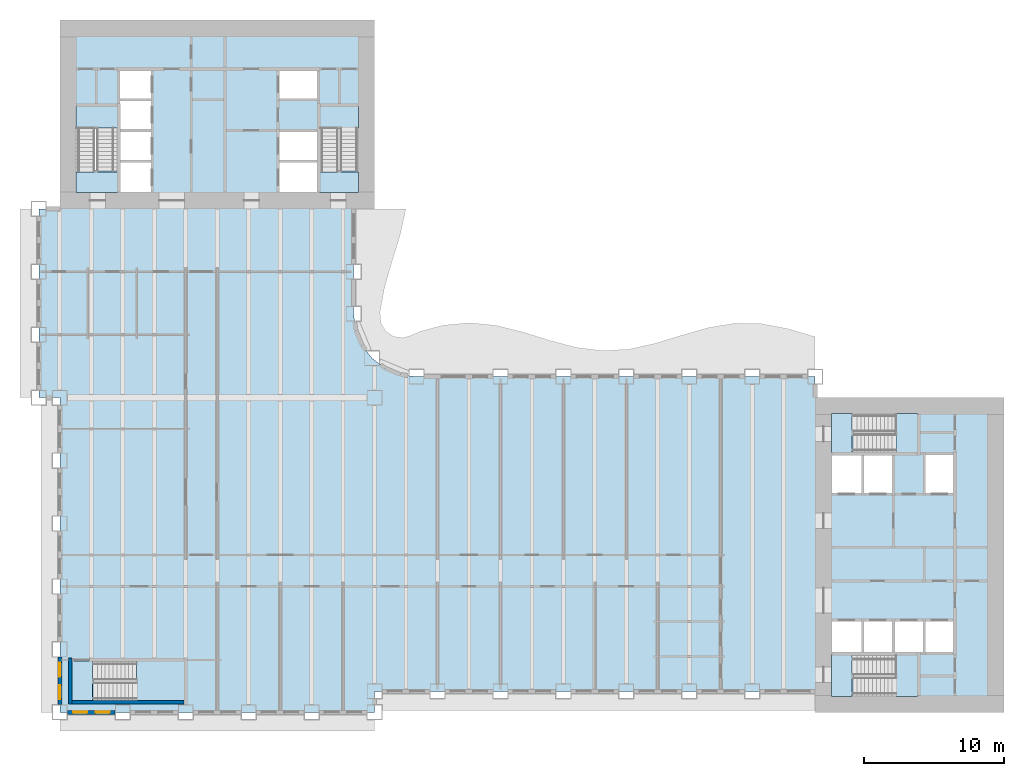
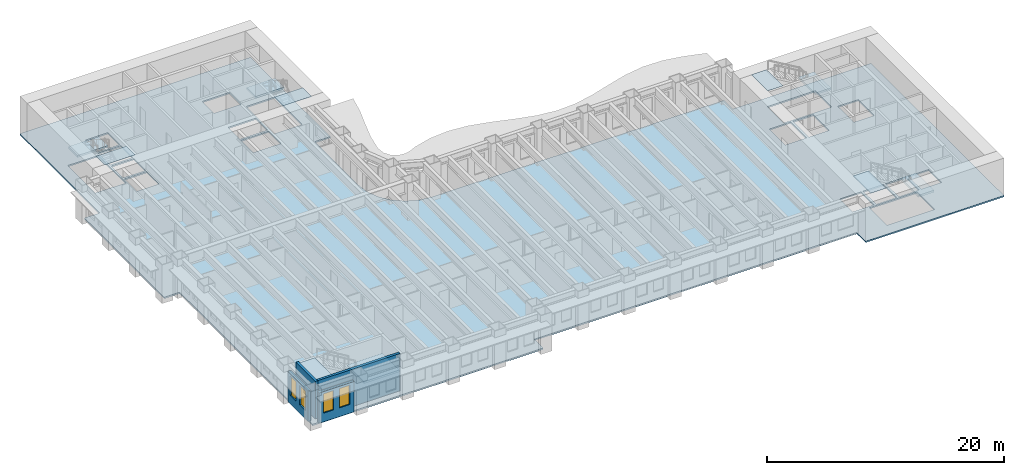
# One storey, part 2 of 16: 11 slabs, 4 walls, 4 windows, 4 openings, 5 elements without a shape of their own.
"""IFC4 building model written with IfcOpenShell, lengths in metres."""

from ifc_helpers import new_model, si_unit, direction, frame, frame_2d, origin, place, context, subcontext, project, spatial, polyline, rectangle, outline, extrude, material, layer, layer_set, type_object, element, fill, aggregate, save


model = new_model("IFC4")

# Units and contexts
model_context = context("Model", 3, precision=1e-05, world=origin(), true_north=direction((0.0, 1.0)))
body_context = subcontext(model_context, "Body", "Model", "MODEL_VIEW")
ifc_project = project(units=[si_unit("LENGTHUNIT", "METRE"), si_unit("AREAUNIT", "SQUARE_METRE"), si_unit("VOLUMEUNIT", "CUBIC_METRE"), si_unit("PLANEANGLEUNIT", "RADIAN"), si_unit("MASSUNIT", "GRAM", prefix="KILO")], contexts=[model_context])

# Site, building, storey
site_placement = place(None, origin())
site = spatial("IfcSite", under=ifc_project, at=site_placement, CompositionType="ELEMENT")
building_placement = place(site_placement, origin())
building = spatial("IfcBuilding", under=site, at=building_placement, Name="Sennacour Bend Tower", CompositionType="ELEMENT")
storey_placement = place(building_placement, frame((0.0, 0.0, 69.0)))
storey = spatial("IfcBuildingStorey", under=building, at=storey_placement, Name="L15", CompositionType="ELEMENT", Elevation=69.0)

# Slabs
ifc_material_1 = material(Name="Concrete C30/37", Category="concrete")
ifc_layer_1 = layer(ifc_material_1, 0.14990234375, Name="Concrete C30/37", Category="concrete")
ifc_layer_set_1 = layer_set([ifc_layer_1], Name="Concrete C30/37")
slab_type_1 = type_object("IfcSlabType", Name="Floor slab 150", PredefinedType="FLOOR", material=ifc_layer_set_1)
slab_1_placement = place(storey_placement, frame((0.0, 0.0, -0.14990234375)))
element("IfcSlab", 1, at=slab_1_placement, inside=storey, type_object=slab_type_1, Name="Floor slab L15-01", PredefinedType="FLOOR", context=body_context, shape_type="SweptSolid", body=[
    extrude(outline(polyline([(0.0, 22.5), (-1.5, 22.5), (-1.5, 36.0), (0.0, 36.0), (0.0, 49.5), (22.5, 49.5), (22.5, 36.0), (21.0, 36.0), (21.0, 28.5), (21.1533203125, 27.335205078125), (21.602783203125, 26.25), (22.318115234375, 25.318115234375), (23.25, 24.602783203125), (24.335205078125, 24.1533203125), (25.5, 24.0), (54.0, 24.0), (54.0, 22.5), (67.5, 22.5), (67.5, 0.0), (54.0, 0.0), (54.0, 1.5), (22.5, 1.5), (22.5, 0.0), (0.0, 0.0), (0.0, 22.5)]), holes=[polyline([(8.800048828125, 0.949951171875), (8.800048828125, 3.5), (2.429931640625, 3.5), (2.429931640625, 0.949951171875), (8.800048828125, 0.949951171875)]), polyline([(6.5, 37.199951171875), (6.5, 39.300048828125), (4.300048828125, 39.300048828125), (4.300048828125, 37.199951171875), (6.5, 37.199951171875)]), polyline([(18.39990234375, 37.199951171875), (18.39990234375, 39.300048828125), (15.699951171875, 39.300048828125), (15.699951171875, 37.199951171875), (18.39990234375, 37.199951171875)]), polyline([(6.5, 39.5), (6.5, 41.5), (4.300048828125, 41.5), (4.300048828125, 39.5), (6.5, 39.5)]), polyline([(18.39990234375, 39.5), (18.39990234375, 41.5), (15.699951171875, 41.5), (15.699951171875, 39.5), (18.39990234375, 39.5)]), polyline([(4.125, 38.72998046875), (4.125, 43.39990234375), (1.14990234375, 43.39990234375), (1.14990234375, 38.72998046875), (4.125, 38.72998046875)]), polyline([(21.35009765625, 38.72998046875), (21.35009765625, 43.39990234375), (18.574951171875, 43.39990234375), (18.574951171875, 38.72998046875), (21.35009765625, 38.72998046875)]), polyline([(4.300048828125, 41.699951171875), (6.5, 41.699951171875), (6.5, 43.699951171875), (4.300048828125, 43.699951171875), (4.300048828125, 41.699951171875)]), polyline([(4.300048828125, 43.89990234375), (6.5, 43.89990234375), (6.5, 45.89990234375), (4.300048828125, 45.89990234375), (4.300048828125, 43.89990234375)]), polyline([(18.39990234375, 43.89990234375), (18.39990234375, 45.89990234375), (15.699951171875, 45.89990234375), (15.699951171875, 43.89990234375), (18.39990234375, 43.89990234375)]), polyline([(61.39990234375, 1.14990234375), (61.39990234375, 4.125), (56.72998046875, 4.125), (56.72998046875, 1.14990234375), (61.39990234375, 1.14990234375)]), polyline([(57.300048828125, 4.300048828125), (57.300048828125, 6.5), (55.199951171875, 6.5), (55.199951171875, 4.300048828125), (57.300048828125, 4.300048828125)]), polyline([(57.5, 4.300048828125), (59.5, 4.300048828125), (59.5, 6.5), (57.5, 6.5), (57.5, 4.300048828125)]), polyline([(59.699951171875, 4.300048828125), (61.699951171875, 4.300048828125), (61.699951171875, 6.5), (59.699951171875, 6.5), (59.699951171875, 4.300048828125)]), polyline([(63.89990234375, 4.300048828125), (63.89990234375, 6.5), (61.89990234375, 6.5), (61.89990234375, 4.300048828125), (63.89990234375, 4.300048828125)]), polyline([(57.300048828125, 15.699951171875), (57.300048828125, 18.39990234375), (55.199951171875, 18.39990234375), (55.199951171875, 15.699951171875), (57.300048828125, 15.699951171875)]), polyline([(59.5, 15.699951171875), (59.5, 18.39990234375), (57.5, 18.39990234375), (57.5, 15.699951171875), (59.5, 15.699951171875)]), polyline([(61.89990234375, 15.699951171875), (63.89990234375, 15.699951171875), (63.89990234375, 18.39990234375), (61.89990234375, 18.39990234375), (61.89990234375, 15.699951171875)]), polyline([(56.72998046875, 18.574951171875), (61.39990234375, 18.574951171875), (61.39990234375, 21.35009765625), (56.72998046875, 21.35009765625), (56.72998046875, 18.574951171875)])]), origin(), (0.0, 0.0, 1.0), 0.14990234375),
])
ifc_material_2 = material(Name="Concrete C40/50", Category="concrete")
ifc_layer_2 = layer(ifc_material_2, 0.034912109375, Name="Concrete C40/50", Category="concrete")
ifc_layer_set_2 = layer_set([ifc_layer_2], Name="Concrete C40/50")
slab_type_2 = type_object("IfcSlabType", Name="Stair arrival nib 35", PredefinedType="FLOOR", material=ifc_layer_set_2)
slab_2_placement = place(storey_placement, frame((0.0, 0.0, 3.815185546875)))
element("IfcSlab", 2, at=slab_2_placement, inside=storey, type_object=slab_type_2, Name="L15 SA1 stair arrival nib", PredefinedType="FLOOR", context=body_context, shape_type="SweptSolid", body=[
    extrude(outline(polyline([(56.64208984375, 4.125), (55.14990234375, 4.125), (55.14990234375, 1.14990234375), (56.64208984375, 1.14990234375), (56.64208984375, 4.125)])), origin(), (0.0, 0.0, 1.0), 0.034912109375),
])
slab_3_placement = place(storey_placement, frame((0.0, 0.0, 3.815185546875)))
element("IfcSlab", 3, at=slab_3_placement, inside=storey, type_object=slab_type_2, Name="L15 SA2 stair arrival nib", PredefinedType="FLOOR", context=body_context, shape_type="SweptSolid", body=[
    extrude(outline(polyline([(56.64208984375, 21.35009765625), (55.14990234375, 21.35009765625), (55.14990234375, 18.574951171875), (56.64208984375, 18.574951171875), (56.64208984375, 21.35009765625)])), origin(), (0.0, 0.0, 1.0), 0.034912109375),
])
slab_4_placement = place(storey_placement, frame((0.0, 0.0, 3.815185546875)))
element("IfcSlab", 4, at=slab_4_placement, inside=storey, type_object=slab_type_2, Name="L15 SB1 stair arrival nib", PredefinedType="FLOOR", context=body_context, shape_type="SweptSolid", body=[
    extrude(outline(polyline([(1.14990234375, 38.64208984375), (1.14990234375, 37.14990234375), (4.125, 37.14990234375), (4.125, 38.64208984375), (1.14990234375, 38.64208984375)])), origin(), (0.0, 0.0, 1.0), 0.034912109375),
])
slab_5_placement = place(storey_placement, frame((0.0, 0.0, 3.815185546875)))
element("IfcSlab", 5, at=slab_5_placement, inside=storey, type_object=slab_type_2, Name="L15 SB2 stair arrival nib", PredefinedType="FLOOR", context=body_context, shape_type="SweptSolid", body=[
    extrude(outline(polyline([(18.574951171875, 38.64208984375), (18.574951171875, 37.14990234375), (21.35009765625, 37.14990234375), (21.35009765625, 38.64208984375), (18.574951171875, 38.64208984375)])), origin(), (0.0, 0.0, 1.0), 0.034912109375),
])
slab_6_placement = place(storey_placement, frame((0.0, 0.0, 3.815185546875)))
element("IfcSlab", 6, at=slab_6_placement, inside=storey, type_object=slab_type_2, Name="L15 SK1 stair arrival nib", PredefinedType="FLOOR", context=body_context, shape_type="SweptSolid", body=[
    extrude(outline(polyline([(2.342041015625, 3.675048828125), (0.800048828125, 3.675048828125), (0.800048828125, 0.800048828125), (2.342041015625, 0.800048828125), (2.342041015625, 3.675048828125)])), origin(), (0.0, 0.0, 1.0), 0.034912109375),
])

# Stair, slab
stair_type = type_object("IfcStairType", Name="ST-DOGLEG", PredefinedType="HALF_TURN_STAIR", material=ifc_material_2)
stair_1_placement = place(storey_placement, origin())
stair_1 = element("IfcStair", 7, at=stair_1_placement, inside=storey, type_object=stair_type, Name="L15 Exit stair A1", PredefinedType="HALF_TURN_STAIR")
ifc_layer_3 = layer(ifc_material_2, 0.199951171875, Name="Concrete C40/50", Category="concrete")
ifc_layer_set_3 = layer_set([ifc_layer_3], Name="Concrete C40/50")
slab_type_3 = type_object("IfcSlabType", Name="Stair landing 200", PredefinedType="LANDING", material=ifc_layer_set_3)
slab_7_placement = place(storey_placement, frame((0.0, 0.0, 1.800048828125)))
slab_7 = element("IfcSlab", 8, at=slab_7_placement, type_object=slab_type_3, Name="SA1 landing 1", PredefinedType="LANDING", context=body_context, shape_type="SweptSolid", body=[
    extrude(outline(polyline([(59.780029296875, 1.14990234375), (61.324951171875, 1.14990234375), (61.324951171875, 4.125), (59.780029296875, 4.125), (59.780029296875, 1.14990234375)])), origin(), (0.0, 0.0, 1.0), 0.199951171875),
])
aggregate(stair_1, [slab_7])

stair_2_placement = place(storey_placement, origin())
stair_2 = element("IfcStair", 9, at=stair_2_placement, inside=storey, type_object=stair_type, Name="L15 Exit stair A2", PredefinedType="HALF_TURN_STAIR")
slab_8_placement = place(storey_placement, frame((0.0, 0.0, 1.800048828125)))
slab_8 = element("IfcSlab", 10, at=slab_8_placement, type_object=slab_type_3, Name="SA2 landing 1", PredefinedType="LANDING", context=body_context, shape_type="SweptSolid", body=[
    extrude(outline(polyline([(59.780029296875, 18.574951171875), (61.324951171875, 18.574951171875), (61.324951171875, 21.35009765625), (59.780029296875, 21.35009765625), (59.780029296875, 18.574951171875)])), origin(), (0.0, 0.0, 1.0), 0.199951171875),
])
aggregate(stair_2, [slab_8])

stair_3_placement = place(storey_placement, origin())
stair_3 = element("IfcStair", 11, at=stair_3_placement, inside=storey, type_object=stair_type, Name="L15 Exit stair B1", PredefinedType="HALF_TURN_STAIR")
slab_9_placement = place(storey_placement, frame((0.0, 0.0, 1.800048828125)))
slab_9 = element("IfcSlab", 12, at=slab_9_placement, type_object=slab_type_3, Name="SB1 landing 1", PredefinedType="LANDING", context=body_context, shape_type="SweptSolid", body=[
    extrude(outline(polyline([(1.14990234375, 41.780029296875), (4.125, 41.780029296875), (4.125, 43.324951171875), (1.14990234375, 43.324951171875), (1.14990234375, 41.780029296875)])), origin(), (0.0, 0.0, 1.0), 0.199951171875),
])
aggregate(stair_3, [slab_9])

stair_4_placement = place(storey_placement, origin())
stair_4 = element("IfcStair", 13, at=stair_4_placement, inside=storey, type_object=stair_type, Name="L15 Exit stair B2", PredefinedType="HALF_TURN_STAIR")
slab_10_placement = place(storey_placement, frame((0.0, 0.0, 1.800048828125)))
slab_10 = element("IfcSlab", 14, at=slab_10_placement, type_object=slab_type_3, Name="SB2 landing 1", PredefinedType="LANDING", context=body_context, shape_type="SweptSolid", body=[
    extrude(outline(polyline([(18.574951171875, 41.780029296875), (21.35009765625, 41.780029296875), (21.35009765625, 43.324951171875), (18.574951171875, 43.324951171875), (18.574951171875, 41.780029296875)])), origin(), (0.0, 0.0, 1.0), 0.199951171875),
])
aggregate(stair_4, [slab_10])

stair_5_placement = place(storey_placement, origin())
stair_5 = element("IfcStair", 15, at=stair_5_placement, inside=storey, type_object=stair_type, Name="L15 Exit stair K1", PredefinedType="HALF_TURN_STAIR")
slab_11_placement = place(storey_placement, frame((0.0, 0.0, 1.800048828125)))
slab_11 = element("IfcSlab", 16, at=slab_11_placement, type_object=slab_type_3, Name="SK1 landing 1", PredefinedType="LANDING", context=body_context, shape_type="SweptSolid", body=[
    extrude(outline(polyline([(5.47998046875, 0.800048828125), (8.925048828125, 0.800048828125), (8.925048828125, 3.675048828125), (5.47998046875, 3.675048828125), (5.47998046875, 0.800048828125)])), origin(), (0.0, 0.0, 1.0), 0.199951171875),
])
aggregate(stair_5, [slab_11])

# Wall, openings, windows
ifc_material_3 = material(Name="Warm limestone cladding", Category="masonry")
ifc_layer_4 = layer(ifc_material_3, 0.050048828125, Name="Warm limestone cladding", Category="masonry")
ifc_material_4 = material(Name="Precast concrete C40/50", Category="concrete")
ifc_layer_5 = layer(ifc_material_4, 0.25, Name="Precast concrete C40/50", Category="concrete")
ifc_layer_set_4 = layer_set([ifc_layer_4, ifc_layer_5], Name="Precast concrete C40/50 with limestone cladding")
wall_type_1 = type_object("IfcWallType", Name="STONE-CLAD PRECAST SPANDREL 300", PredefinedType="STANDARD", material=ifc_layer_set_4)
wall_1_placement = place(storey_placement, frame((0.550048828125, 0.0, 0.0), z_axis=(0.0, 0.0, 1.0), x_axis=(1.0, 0.0, 0.0)))
wall_1 = element("IfcWall", 17, at=wall_1_placement, inside=storey, type_object=wall_type_1, Name="Stone spandrel and pier wall L15 00.00", PredefinedType="STANDARD", context=body_context, shape_type="SweptSolid", body=[
    extrude(rectangle(XDim=3.39990234375, YDim=0.300048828125, at=frame_2d((1.699951171875, 0.0))), origin(), (0.0, 0.0, 1.0), 3.14404296875),
])
opening_1_placement = place(wall_1_placement, frame((0.39990234375, 0.0, 0.89990234375)))
opening_1 = element("IfcOpeningElement", 18, at=opening_1_placement, cuts=wall_1, Name="Opening W8", PredefinedType="OPENING", context=body_context, shape_type="SweptSolid", body=[
    extrude(rectangle(XDim=1.0, YDim=2.0, at=frame_2d((0.5, 1.0))), frame((0.0, 0.16015625, 0.0), z_axis=(0.0, -1.0, 0.0), x_axis=(1.0, 0.0, 0.0)), (0.0, 0.0, 1.0), 0.320068359375),
])
opening_2_placement = place(wall_1_placement, frame((2.0, 0.0, 0.89990234375)))
opening_2 = element("IfcOpeningElement", 19, at=opening_2_placement, cuts=wall_1, Name="Opening W8", PredefinedType="OPENING", context=body_context, shape_type="SweptSolid", body=[
    extrude(rectangle(XDim=1.0, YDim=2.0, at=frame_2d((0.5, 1.0))), frame((0.0, 0.16015625, 0.0), z_axis=(0.0, -1.0, 0.0), x_axis=(1.0, 0.0, 0.0)), (0.0, 0.0, 1.0), 0.320068359375),
])
ifc_material_5 = material(Name="Clear low-emissivity glass", Category="glass")
window_type = type_object("IfcWindowType", Name="WIN-RIBBON-1000x2000", PartitioningType="SINGLE_PANEL", PredefinedType="WINDOW", material=ifc_material_5)
window_1_placement = place(opening_1_placement, origin())
window_1 = element("IfcWindow", 20, at=window_1_placement, inside=storey, type_object=window_type, Name="Ribbon window L15 00.00.0", OverallHeight=2.0, OverallWidth=1.0, PartitioningType="SINGLE_PANEL", PredefinedType="WINDOW", context=body_context, shape_type="SweptSolid", body=[
    extrude(rectangle(XDim=1.0, YDim=2.0, at=frame_2d((0.5, 1.0))), frame((0.0, 0.030029296875, 0.0), z_axis=(0.0, -1.0, 0.0), x_axis=(1.0, 0.0, 0.0)), (0.0, 0.0, 1.0), 0.06005859375),
])
fill(opening_1, window_1)
window_2_placement = place(opening_2_placement, origin())
window_2 = element("IfcWindow", 21, at=window_2_placement, inside=storey, type_object=window_type, Name="Ribbon window L15 00.00.1", OverallHeight=2.0, OverallWidth=1.0, PartitioningType="SINGLE_PANEL", PredefinedType="WINDOW", context=body_context, shape_type="SweptSolid", body=[
    extrude(rectangle(XDim=1.0, YDim=2.0, at=frame_2d((0.5, 1.0))), frame((0.0, 0.030029296875, 0.0), z_axis=(0.0, -1.0, 0.0), x_axis=(1.0, 0.0, 0.0)), (0.0, 0.0, 1.0), 0.06005859375),
])
fill(opening_2, window_2)

wall_2_placement = place(storey_placement, frame((0.0, 3.949951171875, 0.0), z_axis=(0.0, 0.0, 1.0), x_axis=(0.0, -1.0, 0.0)))
wall_2 = element("IfcWall", 22, at=wall_2_placement, inside=storey, type_object=wall_type_1, Name="Stone spandrel and pier wall L15 23.04", PredefinedType="STANDARD", context=body_context, shape_type="SweptSolid", body=[
    extrude(rectangle(XDim=3.39990234375, YDim=0.300048828125, at=frame_2d((1.699951171875, 0.0))), origin(), (0.0, 0.0, 1.0), 3.14404296875),
])
opening_3_placement = place(wall_2_placement, frame((0.39990234375, 0.0, 0.89990234375)))
opening_3 = element("IfcOpeningElement", 23, at=opening_3_placement, cuts=wall_2, Name="Opening W8", PredefinedType="OPENING", context=body_context, shape_type="SweptSolid", body=[
    extrude(rectangle(XDim=1.0, YDim=2.0, at=frame_2d((0.5, 1.0))), frame((0.0, 0.16015625, 0.0), z_axis=(0.0, -1.0, 0.0), x_axis=(1.0, 0.0, 0.0)), (0.0, 0.0, 1.0), 0.320068359375),
])
opening_4_placement = place(wall_2_placement, frame((2.0, 0.0, 0.89990234375)))
opening_4 = element("IfcOpeningElement", 24, at=opening_4_placement, cuts=wall_2, Name="Opening W8", PredefinedType="OPENING", context=body_context, shape_type="SweptSolid", body=[
    extrude(rectangle(XDim=1.0, YDim=2.0, at=frame_2d((0.5, 1.0))), frame((0.0, 0.16015625, 0.0), z_axis=(0.0, -1.0, 0.0), x_axis=(1.0, 0.0, 0.0)), (0.0, 0.0, 1.0), 0.320068359375),
])
window_3_placement = place(opening_3_placement, origin())
window_3 = element("IfcWindow", 25, at=window_3_placement, inside=storey, type_object=window_type, Name="Ribbon window L15 23.04.0", OverallHeight=2.0, OverallWidth=1.0, PartitioningType="SINGLE_PANEL", PredefinedType="WINDOW", context=body_context, shape_type="SweptSolid", body=[
    extrude(rectangle(XDim=1.0, YDim=2.0, at=frame_2d((0.5, 1.0))), frame((0.0, 0.030029296875, 0.0), z_axis=(0.0, -1.0, 0.0), x_axis=(1.0, 0.0, 0.0)), (0.0, 0.0, 1.0), 0.06005859375),
])
fill(opening_3, window_3)
window_4_placement = place(opening_4_placement, origin())
window_4 = element("IfcWindow", 26, at=window_4_placement, inside=storey, type_object=window_type, Name="Ribbon window L15 23.04.1", OverallHeight=2.0, OverallWidth=1.0, PartitioningType="SINGLE_PANEL", PredefinedType="WINDOW", context=body_context, shape_type="SweptSolid", body=[
    extrude(rectangle(XDim=1.0, YDim=2.0, at=frame_2d((0.5, 1.0))), frame((0.0, 0.030029296875, 0.0), z_axis=(0.0, -1.0, 0.0), x_axis=(1.0, 0.0, 0.0)), (0.0, 0.0, 1.0), 0.06005859375),
])
fill(opening_4, window_4)

# Walls
ifc_material_6 = material(Name="Concrete C60/75", Category="concrete")
ifc_layer_6 = layer(ifc_material_6, 0.25, Name="Concrete C60/75", Category="concrete")
ifc_layer_set_5 = layer_set([ifc_layer_6], Name="Concrete C60/75")
wall_type_2 = type_object("IfcWallType", Name="Stair wall 250", PredefinedType="SHEAR", material=ifc_layer_set_5)
wall_3_placement = place(storey_placement, frame((0.72509765625, 0.60009765625, 0.0), z_axis=(0.0, 0.0, 1.0), x_axis=(0.0, 1.0, 0.0)))
element("IfcWall", 27, at=wall_3_placement, inside=storey, type_object=wall_type_2, Name="P-L15-W003", PredefinedType="SHEAR", context=body_context, shape_type="SweptSolid", body=[
    extrude(rectangle(XDim=3.27490234375, YDim=0.25, at=frame_2d((1.637451171875, 0.0))), origin(), (0.0, 0.0, 1.0), 3.85009765625),
])
wall_4_placement = place(storey_placement, frame((0.85009765625, 0.72509765625, 0.0), z_axis=(0.0, 0.0, 1.0), x_axis=(1.0, 0.0, 0.0)))
element("IfcWall", 28, at=wall_4_placement, inside=storey, type_object=wall_type_2, Name="P-L15-W050", PredefinedType="SHEAR", context=body_context, shape_type="SweptSolid", body=[
    extrude(rectangle(XDim=8.02490234375, YDim=0.25, at=frame_2d((4.012451171875, 0.0))), origin(), (0.0, 0.0, 1.0), 3.85009765625),
])

save(model, "model.ifc")
